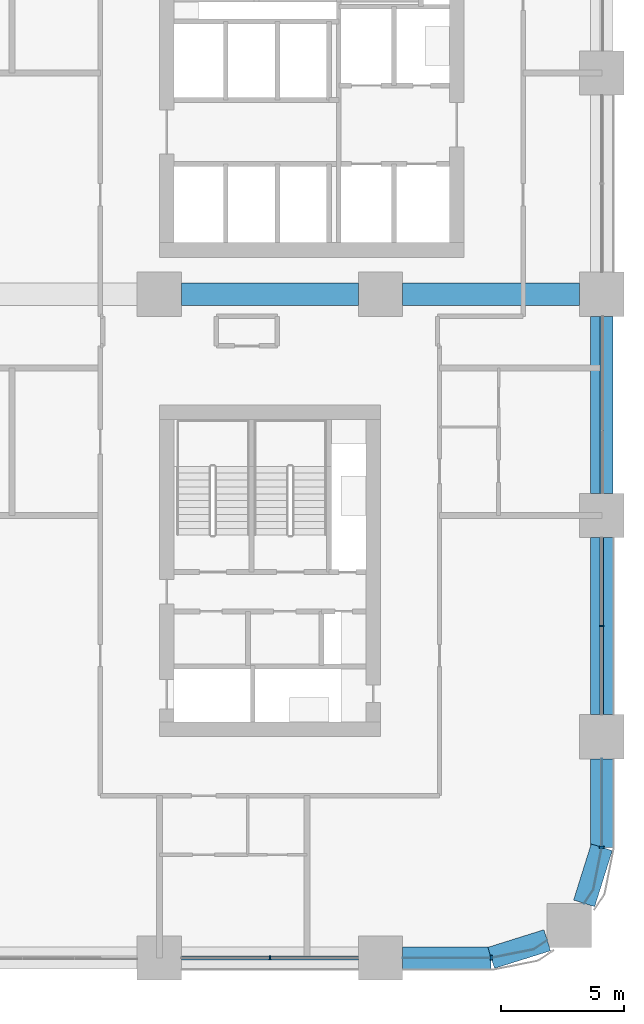
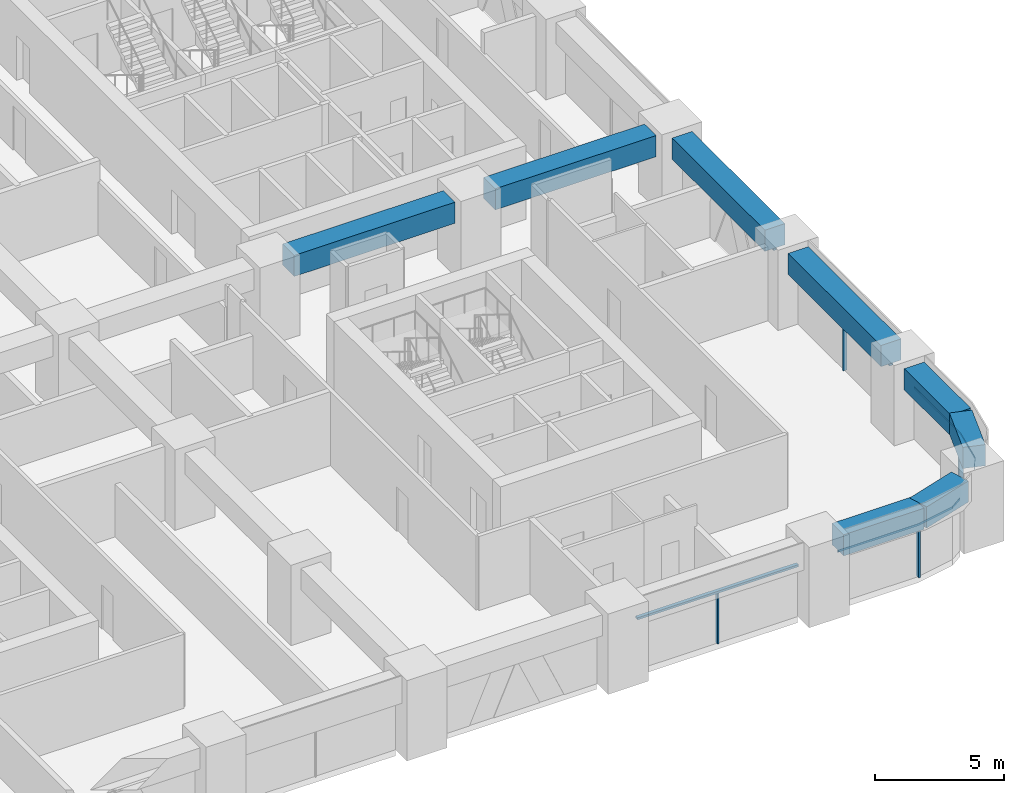
# One storey, part 6 of 21: 9 members, 8 beams, 5 elements without a shape of their own.
"""IFC4 building model written with IfcOpenShell, lengths in metres."""

from ifc_helpers import new_model, si_unit, direction, frame, origin, origin_2d, place, context, subcontext, project, spatial, polyline, rectangle, outline, extrude, material, material_profile, profile_set, type_object, element, aggregate, save


model = new_model("IFC4")

# Units and contexts
model_context = context("Model", 3, precision=1e-05, world=origin(), true_north=direction((0.0, 1.0)))
body_context = subcontext(model_context, "Body", "Model", "MODEL_VIEW")
ifc_project = project(units=[si_unit("LENGTHUNIT", "METRE"), si_unit("AREAUNIT", "SQUARE_METRE"), si_unit("VOLUMEUNIT", "CUBIC_METRE"), si_unit("PLANEANGLEUNIT", "RADIAN"), si_unit("MASSUNIT", "GRAM", prefix="KILO")], contexts=[model_context])

# Site, building, storey
site_placement = place(None, origin())
site = spatial("IfcSite", under=ifc_project, at=site_placement, CompositionType="ELEMENT")
building_placement = place(site_placement, origin())
building = spatial("IfcBuilding", under=site, at=building_placement, Name="Tessera Arch", CompositionType="ELEMENT")
storey_placement = place(building_placement, frame((0.0, 0.0, 65.199951171875)))
storey = spatial("IfcBuildingStorey", under=building, at=storey_placement, Name="L14", CompositionType="ELEMENT", Elevation=65.199951171875)

# Curtain wall, member
ifc_material_1 = material(Name="CW1 curtain wall")
curtain_wall_type_1 = type_object("IfcCurtainWallType", Name="CW1 curtain wall", PredefinedType="NOTDEFINED", material=ifc_material_1)
curtain_wall_1_placement = place(storey_placement, origin())
curtain_wall_1 = element("IfcCurtainWall", 1, at=curtain_wall_1_placement, inside=storey, type_object=curtain_wall_type_1, Name="CW1 curtain wall S0.0/3 L14", PredefinedType="NOTDEFINED")
ifc_material_2 = material(Name="Anodised aluminium pale metal", Category="aluminium")
ifc_material_profile_1 = material_profile(ifc_material_2, rectangle(XDim=0.159912109375, YDim=0.06005859375, at=origin_2d()), Name="AL 60x160")
ifc_profile_set_1 = profile_set([ifc_material_profile_1], Name="Anodised aluminium pale metal")
member_type_1 = type_object("IfcMemberType", Name="CW1 mullion", PredefinedType="MULLION", material=ifc_profile_set_1)
member_1_placement = place(storey_placement, frame((40.5, 0.0, 0.0), z_axis=(0.0, 0.0, 1.0), x_axis=(0.0, 1.0, 0.0)))
member_1 = element("IfcMember", 2, at=member_1_placement, type_object=member_type_1, Name="CW1 mullion S0.0/3 1", PredefinedType="MULLION", context=body_context, shape_type="SweptSolid", body=[
    extrude(rectangle(XDim=0.159912109375, YDim=0.06005859375, at=origin_2d()), origin(), (0.0, 0.0, 1.0), 2.400146484375),
])

curtain_wall_2_placement = place(storey_placement, origin())
curtain_wall_2 = element("IfcCurtainWall", 3, at=curtain_wall_2_placement, inside=storey, type_object=curtain_wall_type_1, Name="CW1 curtain wall E54.0/1 L14", PredefinedType="NOTDEFINED")
member_2_placement = place(storey_placement, frame((54.0, 13.5, 0.0), z_axis=(0.0, 0.0, 1.0), x_axis=(-1.0, 0.0, 0.0)))
member_2 = element("IfcMember", 4, at=member_2_placement, type_object=member_type_1, Name="CW1 mullion E54.0/1 1", PredefinedType="MULLION", context=body_context, shape_type="SweptSolid", body=[
    extrude(rectangle(XDim=0.159912109375, YDim=0.06005859375, at=origin_2d()), origin(), (0.0, 0.0, 1.0), 2.400146484375),
])

# Member
ifc_material_3 = material(Name="Anodised aluminium pale metal", Category="aluminium")
ifc_material_profile_2 = material_profile(ifc_material_3, rectangle(XDim=0.159912109375, YDim=0.10009765625, at=origin_2d()), Name="AL 160x100")
ifc_profile_set_2 = profile_set([ifc_material_profile_2], Name="Anodised aluminium pale metal")
member_type_2 = type_object("IfcMemberType", Name="CW1 transom", PredefinedType="USERDEFINED", material=ifc_profile_set_2)
member_3_placement = place(storey_placement, frame((36.89990234375, 0.0, 2.449951171875), z_axis=(1.0, 0.0, 0.0), x_axis=(0.0, 1.0, 0.0)))
member_3 = element("IfcMember", 5, at=member_3_placement, type_object=member_type_2, Name="CW1 transom S0.0/3 1.1", ObjectType="TRANSOM", PredefinedType="USERDEFINED", context=body_context, shape_type="SweptSolid", body=[
    extrude(rectangle(XDim=0.159912109375, YDim=0.10009765625, at=origin_2d()), origin(), (0.0, 0.0, 1.0), 7.2001953125),
])

aggregate(curtain_wall_1, [member_1, member_3])

member_4_placement = place(storey_placement, frame((54.0, 9.89990234375, 2.449951171875), z_axis=(0.0, 1.0, 0.0), x_axis=(-1.0, 0.0, 0.0)))
member_4 = element("IfcMember", 6, at=member_4_placement, type_object=member_type_2, Name="CW1 transom E54.0/1 1.1", ObjectType="TRANSOM", PredefinedType="USERDEFINED", context=body_context, shape_type="SweptSolid", body=[
    extrude(rectangle(XDim=0.159912109375, YDim=0.10009765625, at=origin_2d()), origin(), (0.0, 0.0, 1.0), 7.2001953125),
])

aggregate(curtain_wall_2, [member_2, member_4])

# Curtain wall, member
ifc_material_4 = material(Name="CW2 curtain wall")
curtain_wall_type_2 = type_object("IfcCurtainWallType", Name="CW2 curtain wall", PredefinedType="NOTDEFINED", material=ifc_material_4)
curtain_wall_3_placement = place(storey_placement, origin())
curtain_wall_3 = element("IfcCurtainWall", 7, at=curtain_wall_3_placement, inside=storey, type_object=curtain_wall_type_2, Name="CW2 curtain wall S0.0/4 L14", PredefinedType="NOTDEFINED")
ifc_material_5 = material(Name="Anodised aluminium pale metal", Category="aluminium")
ifc_material_profile_3 = material_profile(ifc_material_5, rectangle(XDim=0.199951171875, YDim=0.080078125, at=origin_2d()), Name="AL 80x200")
ifc_profile_set_3 = profile_set([ifc_material_profile_3], Name="Anodised aluminium pale metal")
member_type_3 = type_object("IfcMemberType", Name="CW2 mullion", PredefinedType="MULLION", material=ifc_profile_set_3)
member_5_placement = place(storey_placement, frame((49.5, 0.0, 0.0), z_axis=(0.0, 0.0, 1.0), x_axis=(0.0, 1.0, 0.0)))
member_5 = element("IfcMember", 8, at=member_5_placement, type_object=member_type_3, Name="CW2 mullion S0.0/4 1", PredefinedType="MULLION", context=body_context, shape_type="SweptSolid", body=[
    extrude(rectangle(XDim=0.199951171875, YDim=0.080078125, at=origin_2d()), origin(), (0.0, 0.0, 1.0), 2.400146484375),
])

curtain_wall_4_placement = place(storey_placement, origin())
curtain_wall_4 = element("IfcCurtainWall", 9, at=curtain_wall_4_placement, inside=storey, type_object=curtain_wall_type_2, Name="CW2 curtain wall E54.0/0 L14", PredefinedType="NOTDEFINED")
member_6_placement = place(storey_placement, frame((54.0, 4.5, 0.0), z_axis=(0.0, 0.0, 1.0), x_axis=(-1.0, 0.0, 0.0)))
member_6 = element("IfcMember", 10, at=member_6_placement, type_object=member_type_3, Name="CW2 mullion E54.0/0 1", PredefinedType="MULLION", context=body_context, shape_type="SweptSolid", body=[
    extrude(rectangle(XDim=0.199951171875, YDim=0.080078125, at=origin_2d()), origin(), (0.0, 0.0, 1.0), 2.400146484375),
])

# Member
ifc_material_6 = material(Name="Anodised aluminium pale metal", Category="aluminium")
ifc_material_profile_4 = material_profile(ifc_material_6, rectangle(XDim=0.199951171875, YDim=0.10009765625, at=origin_2d()), Name="AL 200x100")
ifc_profile_set_4 = profile_set([ifc_material_profile_4], Name="Anodised aluminium pale metal")
member_type_4 = type_object("IfcMemberType", Name="CW2 transom", PredefinedType="USERDEFINED", material=ifc_profile_set_4)
member_7_placement = place(storey_placement, frame((0.0, 0.0, 2.400146484375)))
member_7 = element("IfcMember", 11, at=member_7_placement, type_object=member_type_4, Name="CW2 transom S0.0/4 1", ObjectType="TRANSOM", PredefinedType="USERDEFINED", context=body_context, shape_type="SweptSolid", body=[
    extrude(outline(polyline([(49.4990234375, 0.010009765625), (45.89990234375, 0.010009765625), (45.89990234375, -0.010009765625), (49.5009765625, -0.010009765625), (51.22607421875, 0.3330078125), (51.78759765625, 0.70849609375), (51.7763671875, 0.72509765625), (51.21826171875, 0.351806640625), (49.4990234375, 0.010009765625)])), origin(), (0.0, 0.0, 1.0), 0.099853515625),
])

aggregate(curtain_wall_3, [member_5, member_7])

member_8_placement = place(storey_placement, frame((0.0, 0.0, 2.400146484375)))
member_8 = element("IfcMember", 12, at=member_8_placement, type_object=member_type_4, Name="CW2 transom E54.0/0 1", ObjectType="TRANSOM", PredefinedType="USERDEFINED", context=body_context, shape_type="SweptSolid", body=[
    extrude(outline(polyline([(53.648193359375, 2.78173828125), (53.27490234375, 2.2236328125), (53.29150390625, 2.21240234375), (53.6669921875, 2.77392578125), (54.010009765625, 4.4990234375), (54.010009765625, 8.10009765625), (53.989990234375, 8.10009765625), (53.989990234375, 4.5009765625), (53.648193359375, 2.78173828125)])), origin(), (0.0, 0.0, 1.0), 0.099853515625),
])

aggregate(curtain_wall_4, [member_6, member_8])

# Curtain wall, member
ifc_material_7 = material(Name="CW3 curtain wall")
curtain_wall_type_3 = type_object("IfcCurtainWallType", Name="CW3 curtain wall", PredefinedType="NOTDEFINED", material=ifc_material_7)
curtain_wall_5_placement = place(storey_placement, origin())
curtain_wall_5 = element("IfcCurtainWall", 13, at=curtain_wall_5_placement, inside=storey, type_object=curtain_wall_type_3, Name="CW3 curtain wall E54.0/2 L14", PredefinedType="NOTDEFINED")
ifc_material_8 = material(Name="Anodised aluminium pale metal", Category="aluminium")
ifc_material_profile_5 = material_profile(ifc_material_8, rectangle(XDim=0.139892578125, YDim=0.10009765625, at=origin_2d()), Name="AL 140x100")
ifc_profile_set_5 = profile_set([ifc_material_profile_5], Name="Anodised aluminium pale metal")
member_type_5 = type_object("IfcMemberType", Name="CW3 transom", PredefinedType="USERDEFINED", material=ifc_profile_set_5)
member_9_placement = place(storey_placement, frame((54.0, 18.89990234375, 2.449951171875), z_axis=(0.0, 1.0, 0.0), x_axis=(-1.0, 0.0, 0.0)))
member_9 = element("IfcMember", 14, at=member_9_placement, type_object=member_type_5, Name="CW3 transom E54.0/2 1.1", ObjectType="TRANSOM", PredefinedType="USERDEFINED", context=body_context, shape_type="SweptSolid", body=[
    extrude(rectangle(XDim=0.139892578125, YDim=0.10009765625, at=origin_2d()), origin(), (0.0, 0.0, 1.0), 7.2001953125),
])
aggregate(curtain_wall_5, [member_9])

# Beams
ifc_material_9 = material(Name="Concrete C80/95", Category="concrete")
ifc_material_profile_6 = material_profile(ifc_material_9, rectangle(XDim=0.89990234375, YDim=1.0, at=origin_2d()), Name="RC spandrel beam 900 x 1000 Concrete C80/95")
ifc_profile_set_6 = profile_set([ifc_material_profile_6], Name="Concrete C80/95")
beam_type = type_object("IfcBeamType", Name="RC spandrel beam 900 x 1000 Concrete C80/95", PredefinedType="BEAM", material=ifc_profile_set_6)
beam_1_placement = place(storey_placement, frame((45.89990234375, 0.0, 3.0), z_axis=(1.0, 0.0, 0.0), x_axis=(0.0, 1.0, 0.0)))
element("IfcBeam", 15, at=beam_1_placement, inside=storey, type_object=beam_type, Name="Spandrel beam L14 S0.0/4.1", PredefinedType="BEAM", context=body_context, shape_type="SweptSolid", body=[
    extrude(rectangle(XDim=0.89990234375, YDim=1.0, at=origin_2d()), origin(), (0.0, 0.0, 1.0), 3.60009765625),
])
for number, where, z_axis, x_axis, name in (
    (16, (49.5, 0.0, 3.0), (0.954041251279, 0.299675309057, 0.0), (-0.299675309057, 0.954041251279, 0.0), "Spandrel beam L14 S0.0/4.2"),
    (17, (53.283203125, 2.218017578125, 3.0), (0.299675309057, 0.954041251279, 0.0), (-0.954041251279, 0.299675309057, 0.0), "Spandrel beam L14 E54.0/0.1"),
):
    element("IfcBeam", number, at=place(storey_placement, frame(where, z_axis=z_axis, x_axis=x_axis)), inside=storey, type_object=beam_type, Name=name, PredefinedType="BEAM", context=body_context, shape_type="SweptSolid", body=[
        extrude(rectangle(XDim=0.89990234375, YDim=1.0, at=origin_2d()), origin(), (0.0, 0.0, 1.0), 2.391845703125),
    ])
beam_2_placement = place(storey_placement, frame((54.0, 4.5, 3.0), z_axis=(0.0, 1.0, 0.0), x_axis=(-1.0, 0.0, 0.0)))
element("IfcBeam", 18, at=beam_2_placement, inside=storey, type_object=beam_type, Name="Spandrel beam L14 E54.0/0.2", PredefinedType="BEAM", context=body_context, shape_type="SweptSolid", body=[
    extrude(rectangle(XDim=0.89990234375, YDim=1.0, at=origin_2d()), origin(), (0.0, 0.0, 1.0), 3.60009765625),
])
for number, where, z_axis, x_axis, name in (
    (19, (54.0, 9.89990234375, 3.0), (0.0, 1.0, 0.0), (-1.0, 0.0, 0.0), "Spandrel beam L14 E54.0/1"),
    (20, (54.0, 18.89990234375, 3.0), (0.0, 1.0, 0.0), (-1.0, 0.0, 0.0), "Spandrel beam L14 E54.0/2"),
    (21, (36.89990234375, 27.0, 3.0), (1.0, 0.0, 0.0), (0.0, 1.0, 0.0), "Interface beam L14 I1C5D-C6D"),
    (22, (45.89990234375, 27.0, 3.0), (1.0, 0.0, 0.0), (0.0, 1.0, 0.0), "Interface beam L14 I1C6D-C7D"),
):
    element("IfcBeam", number, at=place(storey_placement, frame(where, z_axis=z_axis, x_axis=x_axis)), inside=storey, type_object=beam_type, Name=name, PredefinedType="BEAM", context=body_context, shape_type="SweptSolid", body=[
        extrude(rectangle(XDim=0.89990234375, YDim=1.0, at=origin_2d()), origin(), (0.0, 0.0, 1.0), 7.2001953125),
    ])

save(model, "model.ifc")
